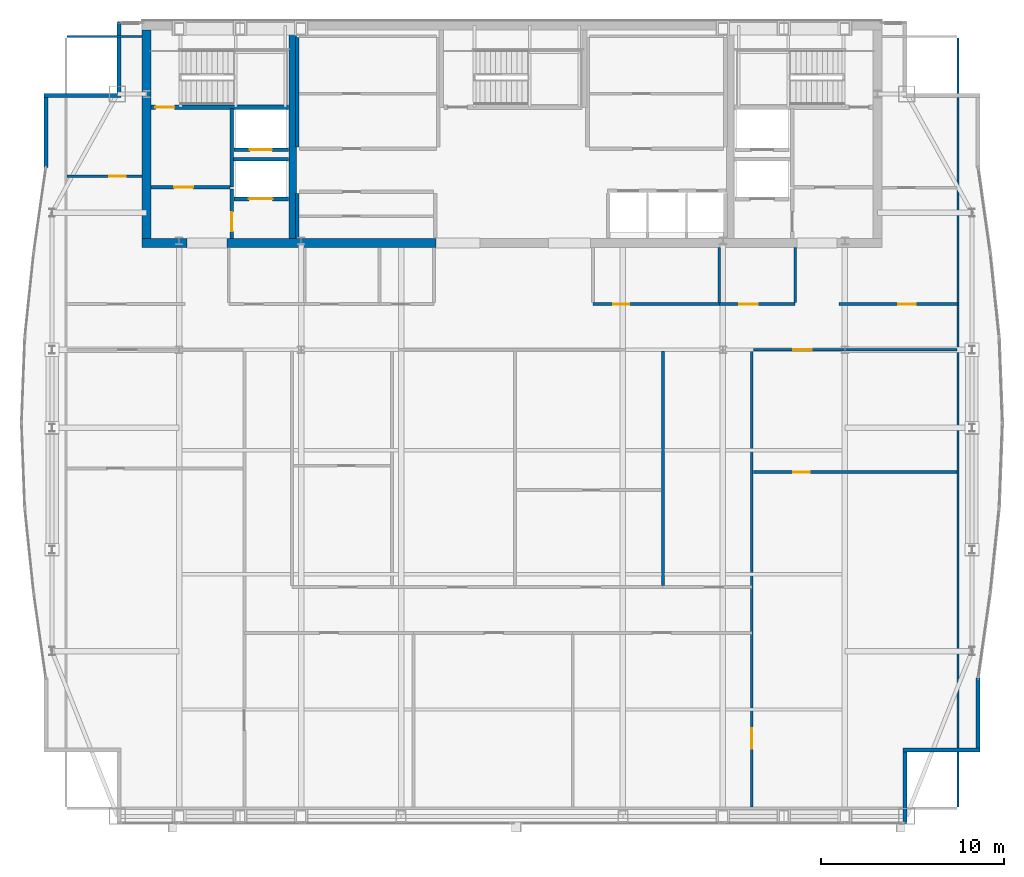
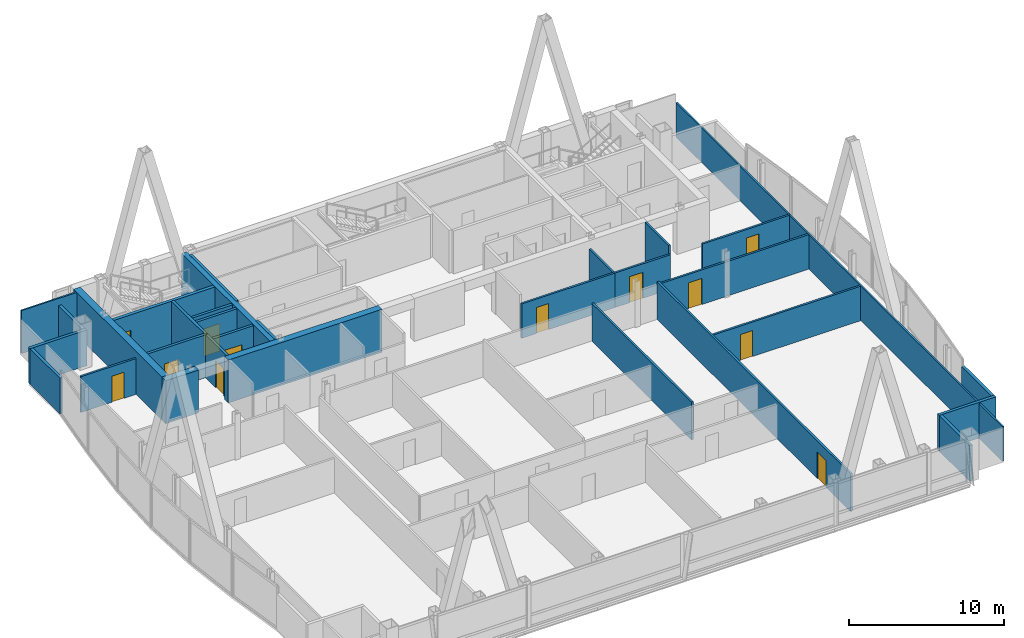
# One storey, part 25 of 29: 31 walls, 12 doors, 12 openings.
"""IFC4 building model written with IfcOpenShell, lengths in metres."""

import ifcopenshell
import ifcopenshell.guid

model = None  # the IFC model being written
_history = None  # IfcOwnerHistory: only IFC2X3 demands one
_inside = {}  # id of a spatial element -> (the spatial element, [elements in it])
_under = {}  # id of a project, library or spatial element -> (it, [spatial elements below it])
_declared = {}  # id of a project -> (the project, [libraries it declares])
_typed = {}  # id of a type object -> (the type object, [elements of that type])
_made_of = {}  # id of a material, layer set ... -> (it, [elements and type objects made of it])


def new_model(schema):
    """Start an empty IFC model of exactly this schema.

    Asked for "IFC4X3", IfcOpenShell would pick the latest addendum, in which some entities
    have other attributes; the version numbers below select the first issue.
    IFC2X3 requires an IfcOwnerHistory on every rooted entity: one is made here for all.
    """
    global model, _history
    if schema == "IFC4X3":
        model = ifcopenshell.file(schema_version=(4, 3, 0, 0))
    else:
        model = ifcopenshell.file(schema=schema)
    _inside.clear()
    _under.clear()
    _declared.clear()
    _typed.clear()
    _made_of.clear()
    _history = None
    if model.schema == "IFC2X3":
        org = make("IfcOrganization", Name="unknown")
        user = make(
            "IfcPersonAndOrganization",
            ThePerson=make("IfcPerson", FamilyName="unknown"),
            TheOrganization=org,
        )
        app = make(
            "IfcApplication",
            ApplicationDeveloper=org,
            Version="unknown",
            ApplicationFullName="unknown",
            ApplicationIdentifier="unknown",
        )
        _history = make(
            "IfcOwnerHistory",
            OwningUser=user,
            OwningApplication=app,
            ChangeAction="ADDED",
            CreationDate=0,
        )
    return model


def make(cls, **values):
    """One entity of the class cls with the attributes given. An attribute that is None is left unset."""
    return model.create_entity(
        cls, **{name: value for name, value in values.items() if value is not None}
    )


def rooted(cls, **values):
    """An entity with a GlobalId (a new one), such as an element, a storey or a relation."""
    return make(cls, GlobalId=ifcopenshell.guid.new(), OwnerHistory=_history, **values)


def si_unit(unit_type, name, prefix=None):
    """IfcSIUnit, for example si_unit("LENGTHUNIT", "METRE", prefix="MILLI")."""
    return make("IfcSIUnit", UnitType=unit_type, Prefix=prefix, Name=name)


def assignment(units):
    """IfcUnitAssignment: the units of a project."""
    return None if units is None else make("IfcUnitAssignment", Units=units)


def point(xyz):
    """IfcCartesianPoint."""
    return None if xyz is None else make("IfcCartesianPoint", Coordinates=xyz)


def direction(xyz):
    """IfcDirection."""
    return None if xyz is None else make("IfcDirection", DirectionRatios=xyz)


def frame(location, z_axis=None, x_axis=None):
    """IfcAxis2Placement3D, a coordinate frame: its origin and axes. An axis left out is left unset."""
    return make(
        "IfcAxis2Placement3D",
        Location=point(location),
        Axis=direction(z_axis),
        RefDirection=direction(x_axis),
    )


def frame_2d(location, x_axis=None):
    """IfcAxis2Placement2D, a coordinate frame in the plane: its origin and x axis."""
    return make(
        "IfcAxis2Placement2D", Location=point(location), RefDirection=direction(x_axis)
    )


def origin():
    """The frame at (0, 0, 0) with its axes left unset."""
    return frame((0.0, 0.0, 0.0))


def place(relative_to, where):
    """IfcLocalPlacement: puts the frame where relative to a parent placement (None: the world)."""
    return make(
        "IfcLocalPlacement", PlacementRelTo=relative_to, RelativePlacement=where
    )


def context(
    kind, dimensions, precision=None, world=None, true_north=None, identifier=None
):
    """IfcGeometricRepresentationContext, for example the 3D "Model" context."""
    return make(
        "IfcGeometricRepresentationContext",
        ContextIdentifier=identifier,
        ContextType=kind,
        CoordinateSpaceDimension=dimensions,
        Precision=precision,
        WorldCoordinateSystem=world,
        TrueNorth=true_north,
    )


def subcontext(parent, identifier, kind, view, scale=None):
    """IfcGeometricRepresentationSubContext, for example "Body" below "Model"."""
    return make(
        "IfcGeometricRepresentationSubContext",
        ContextIdentifier=identifier,
        ContextType=kind,
        ParentContext=parent,
        TargetScale=scale,
        TargetView=view,
    )


def project(units=None, contexts=None):
    """IfcProject with its units and contexts."""
    return rooted(
        "IfcProject",
        Name="project",
        RepresentationContexts=contexts,
        UnitsInContext=assignment(units),
    )


def spatial(cls, under=None, at=None, **own):
    """A site, building, storey or space (cls), placed at a placement, below another one or the project."""
    s = rooted(cls, ObjectPlacement=at, **own)
    if under is not None:
        _under.setdefault(under.id(), (under, []))[1].append(s)
    return s


def profile(cls, at=None, kind="AREA", **sizes):
    """A parametric profile (cls). Its sizes go by their IFC names, for example OverallWidth=200.0."""
    return make(cls, ProfileType=kind, Position=at, **sizes)


def rectangle(**sizes):
    """IfcRectangleProfileDef."""
    return profile("IfcRectangleProfileDef", **sizes)


def extrude(swept, where, along, depth):
    """IfcExtrudedAreaSolid: the profile swept, set in the frame where, extruded along a direction by depth."""
    return make(
        "IfcExtrudedAreaSolid",
        SweptArea=swept,
        Position=where,
        ExtrudedDirection=direction(along),
        Depth=depth,
    )


def shape(context_of_items, identifier, shape_type, items):
    """IfcShapeRepresentation: the items that make up one representation, for example the "Body"."""
    return make(
        "IfcShapeRepresentation",
        ContextOfItems=context_of_items,
        RepresentationIdentifier=identifier,
        RepresentationType=shape_type,
        Items=items,
    )


def material(Name=None, Category=None):
    """IfcMaterial."""
    return make("IfcMaterial", Name=Name, Category=Category)


def layer(
    of_material, thickness, ventilated=None, Name=None, Category=None, Priority=None
):
    """IfcMaterialLayer: one layer of a wall or slab, of a material (None: an air gap)."""
    return make(
        "IfcMaterialLayer",
        Material=of_material,
        LayerThickness=thickness,
        IsVentilated=ventilated,
        Name=Name,
        Category=Category,
        Priority=Priority,
    )


def layer_set(layers, Name=None):
    """IfcMaterialLayerSet."""
    return make("IfcMaterialLayerSet", MaterialLayers=layers, LayerSetName=Name)


def made_of(thing, what):
    """Note that an element or type object is made of a material, layer set ...; save() writes the relation."""
    if what is not None:
        _made_of.setdefault(what.id(), (what, []))[1].append(thing)
    return thing


def type_object(cls, material=None, **own):
    """A type object (cls), such as IfcWallType, which elements share."""
    return made_of(rooted(cls, **own), material)


def element(
    cls,
    number,
    at=None,
    inside=None,
    cuts=None,
    type_object=None,
    material=None,
    context=None,
    identifier="Body",
    shape_type=None,
    held_by="IfcProductDefinitionShape",
    body=None,
    shapes=None,
    **own,
):
    """One element of the class cls, such as IfcWall. Its Tag is "e" and its number.

    at: its placement. inside: the storey or other place that contains it. cuts: it is an
    opening in that element (IfcRelVoidsElement). A single representation is given by context,
    identifier, shape_type and body (its items); several are given by shapes. held_by: the class
    of the entity that holds the representations. save() writes the other relations.
    """
    e = rooted(cls, Tag="e%d" % number, ObjectPlacement=at, **own)
    if body is not None:
        shapes = [shape(context, identifier, shape_type, body)]
    if shapes is not None:
        e.Representation = make(held_by, Representations=shapes)
    if inside is not None:
        _inside.setdefault(inside.id(), (inside, []))[1].append(e)
    if cuts is not None:
        rooted(
            "IfcRelVoidsElement", RelatingBuildingElement=cuts, RelatedOpeningElement=e
        )
    if type_object is not None:
        _typed.setdefault(type_object.id(), (type_object, []))[1].append(e)
    return made_of(e, material)


def fill(opening, filler):
    """IfcRelFillsElement: the door or window that sits in an opening."""
    return rooted(
        "IfcRelFillsElement",
        RelatingOpeningElement=opening,
        RelatedBuildingElement=filler,
    )


def aggregate(whole, parts):
    """IfcRelAggregates: a whole, such as a stair, and the parts it consists of."""
    return rooted("IfcRelAggregates", RelatingObject=whole, RelatedObjects=parts)


def save(model, path):
    """Write the relations noted so far, then the file.

    IfcRelAggregates (storeys below a building ...), IfcRelContainedInSpatialStructure (elements
    in a storey), IfcRelDefinesByType, IfcRelAssociatesMaterial and IfcRelDeclares: one each for
    every whole, place, type object, material and project.
    """
    for whole, parts in _under.values():
        aggregate(whole, parts)
    for where, things in _inside.values():
        rooted(
            "IfcRelContainedInSpatialStructure",
            RelatedElements=things,
            RelatingStructure=where,
        )
    for kind, things in _typed.values():
        rooted("IfcRelDefinesByType", RelatedObjects=things, RelatingType=kind)
    for what, things in _made_of.values():
        rooted("IfcRelAssociatesMaterial", RelatedObjects=things, RelatingMaterial=what)
    for by, libraries in _declared.values():
        rooted("IfcRelDeclares", RelatingContext=by, RelatedDefinitions=libraries)
    model.write(path)


model = new_model("IFC4")

# Units and contexts
model_context = context("Model", 3, precision=1e-05, world=origin(), true_north=direction((0.0, 1.0)))
body_context = subcontext(model_context, "Body", "Model", "MODEL_VIEW")
ifc_project = project(units=[si_unit("LENGTHUNIT", "METRE"), si_unit("AREAUNIT", "SQUARE_METRE"), si_unit("VOLUMEUNIT", "CUBIC_METRE"), si_unit("PLANEANGLEUNIT", "RADIAN"), si_unit("MASSUNIT", "GRAM", prefix="KILO")], contexts=[model_context])

# Site, building, storey
site_placement = place(None, origin())
site = spatial("IfcSite", under=ifc_project, at=site_placement, CompositionType="ELEMENT")
building_placement = place(site_placement, origin())
building = spatial("IfcBuilding", under=site, at=building_placement, Name="Khoronbel Lancet Exchange", CompositionType="ELEMENT")
storey_placement = place(building_placement, frame((0.0, 0.0, 302.199951171875)))
storey = spatial("IfcBuildingStorey", under=building, at=storey_placement, Name="L78", CompositionType="ELEMENT", Elevation=302.199951171875)

# Walls
ifc_material_1 = material(Name="Concrete C60/75", Category="concrete")
ifc_layer_1 = layer(ifc_material_1, 0.5, Name="Concrete C60/75")
ifc_layer_set_1 = layer_set([ifc_layer_1], Name="Concrete C60/75")
wall_type_1 = type_object("IfcWallType", Name="WL-CW4", PredefinedType="SHEAR", material=ifc_layer_set_1)
wall_1_placement = place(storey_placement, frame((16.449951171875, 41.800048828125, 0.0), z_axis=(0.0, 0.0, 1.0), x_axis=(0.0, 1.0, 0.0)))
element("IfcWall", 1, at=wall_1_placement, inside=storey, type_object=wall_type_1, Name="Level L78 rear core west shear wall", PredefinedType="SHEAR", context=body_context, shape_type="SweptSolid", body=[
    extrude(rectangle(XDim=11.39990234375, YDim=0.5, at=frame_2d((5.699951171875, 0.0))), origin(), (0.0, 0.0, 1.0), 3.380126953125),
])
wall_2_placement = place(storey_placement, frame((18.64990234375, 41.550048828125, 0.0), z_axis=(0.0, 0.0, 1.0), x_axis=(-1.0, 0.0, 0.0)))
element("IfcWall", 2, at=wall_2_placement, inside=storey, type_object=wall_type_1, Name="Level L78 rear core south shear wall pier P1", PredefinedType="SHEAR", context=body_context, shape_type="SweptSolid", body=[
    extrude(rectangle(XDim=2.449951171875, YDim=0.5, at=frame_2d((1.22509765625, 0.0))), origin(), (0.0, 0.0, 1.0), 3.380126953125),
])
wall_3_placement = place(storey_placement, frame((32.300048828125, 41.550048828125, 0.0), z_axis=(0.0, 0.0, 1.0), x_axis=(-1.0, 0.0, 0.0)))
element("IfcWall", 3, at=wall_3_placement, inside=storey, type_object=wall_type_1, Name="Level L78 rear core south shear wall pier P2", PredefinedType="SHEAR", context=body_context, shape_type="SweptSolid", body=[
    extrude(rectangle(XDim=11.449951171875, YDim=0.5, at=frame_2d((5.72509765625, 0.0))), origin(), (0.0, 0.0, 1.0), 3.380126953125),
])
ifc_material_2 = material(Name="Precast concrete C40/50", Category="concrete")
ifc_layer_2 = layer(ifc_material_2, 0.25, Name="Precast concrete C40/50")
ifc_layer_set_2 = layer_set([ifc_layer_2], Name="Precast concrete C40/50")
wall_type_2 = type_object("IfcWallType", Name="WL-EXT250", PredefinedType="SOLIDWALL", material=ifc_layer_set_2)
wall_4_placement = place(storey_placement, frame((10.93994140625, 45.673583984375, 0.0), z_axis=(0.0, 0.0, 1.0), x_axis=(0.0, 1.0, 0.0)))
element("IfcWall", 4, at=wall_4_placement, inside=storey, type_object=wall_type_2, Name="Level L78 notched-corner limestone pier 10", PredefinedType="SOLIDWALL", context=body_context, shape_type="SweptSolid", body=[
    extrude(rectangle(XDim=3.826416015625, YDim=0.219970703125, at=frame_2d((1.9130859375, 0.0))), origin(), (0.0, 0.0, 1.0), 2.820068359375),
])
wall_5_placement = place(storey_placement, frame((10.830078125, 49.610107421875, 0.0), z_axis=(0.0, 0.0, 1.0), x_axis=(1.0, 0.0, 0.0)))
element("IfcWall", 5, at=wall_5_placement, inside=storey, type_object=wall_type_2, Name="Level L78 notched-corner limestone pier 11", PredefinedType="SOLIDWALL", context=body_context, shape_type="SweptSolid", body=[
    extrude(rectangle(XDim=4.219970703125, YDim=0.219970703125, at=frame_2d((2.10986328125, 0.0))), origin(), (0.0, 0.0, 1.0), 2.820068359375),
])
wall_6_placement = place(storey_placement, frame((14.93994140625, 49.719970703125, 0.0), z_axis=(0.0, 0.0, 1.0), x_axis=(0.0, 1.0, 0.0)))
element("IfcWall", 6, at=wall_6_placement, inside=storey, type_object=wall_type_2, Name="Level L78 notched-corner limestone pier 12", PredefinedType="SOLIDWALL", context=body_context, shape_type="SweptSolid", body=[
    extrude(rectangle(XDim=3.909912109375, YDim=0.219970703125, at=frame_2d((1.955078125, 0.0))), origin(), (0.0, 0.0, 1.0), 2.820068359375),
])
wall_7_placement = place(storey_placement, frame((61.9599609375, 17.726318359375, 0.0), z_axis=(0.0, 0.0, 1.0), x_axis=(0.0, -1.0, 0.0)))
element("IfcWall", 7, at=wall_7_placement, inside=storey, type_object=wall_type_2, Name="Level L78 notched-corner limestone pier 23", PredefinedType="SOLIDWALL", context=body_context, shape_type="SweptSolid", body=[
    extrude(rectangle(XDim=3.826416015625, YDim=0.219970703125, at=frame_2d((1.9130859375, 0.0))), origin(), (0.0, 0.0, 1.0), 2.820068359375),
])
wall_8_placement = place(storey_placement, frame((62.070068359375, 13.7900390625, 0.0), z_axis=(0.0, 0.0, 1.0), x_axis=(-1.0, 0.0, 0.0)))
element("IfcWall", 8, at=wall_8_placement, inside=storey, type_object=wall_type_2, Name="Level L78 notched-corner limestone pier 24", PredefinedType="SOLIDWALL", context=body_context, shape_type="SweptSolid", body=[
    extrude(rectangle(XDim=4.219970703125, YDim=0.219970703125, at=frame_2d((2.10986328125, 0.0))), origin(), (0.0, 0.0, 1.0), 2.820068359375),
])
wall_9_placement = place(storey_placement, frame((57.9599609375, 13.679931640625, 0.0), z_axis=(0.0, 0.0, 1.0), x_axis=(0.0, -1.0, 0.0)))
element("IfcWall", 9, at=wall_9_placement, inside=storey, type_object=wall_type_2, Name="Level L78 notched-corner limestone pier 25", PredefinedType="SOLIDWALL", context=body_context, shape_type="SweptSolid", body=[
    extrude(rectangle(XDim=3.909912109375, YDim=0.219970703125, at=frame_2d((1.955078125, 0.0))), origin(), (0.0, 0.0, 1.0), 2.820068359375),
])
ifc_material_3 = material(Name="Acoustic Metal-Stud & Mineral-Wool Gypsum Partition 120 mm", Category="gypsum")
ifc_layer_3 = layer(ifc_material_3, 0.1201171875, Name="Acoustic Metal-Stud & Mineral-Wool Gypsum Partition 120 mm")
ifc_layer_set_3 = layer_set([ifc_layer_3], Name="Acoustic Metal-Stud & Mineral-Wool Gypsum Partition 120 mm")
wall_type_3 = type_object("IfcWallType", Name="WL-PRT120", PredefinedType="PARTITIONING", material=ifc_layer_set_3)
wall_10_placement = place(storey_placement, frame((47.800048828125, 38.280029296875, 0.0), z_axis=(0.0, 0.0, 1.0), x_axis=(0.0, 1.0, 0.0)))
element("IfcWall", 10, at=wall_10_placement, inside=storey, type_object=wall_type_3, Name="Level L78 interior partition PW-NP-M", PredefinedType="PARTITIONING", context=body_context, shape_type="SweptSolid", body=[
    extrude(rectangle(XDim=3.02001953125, YDim=0.14990234375, at=frame_2d((1.510009765625, 0.0))), origin(), (0.0, 0.0, 1.0), 2.719970703125),
])
wall_11_placement = place(storey_placement, frame((51.949951171875, 38.280029296875, 0.0), z_axis=(0.0, 0.0, 1.0), x_axis=(0.0, 1.0, 0.0)))
element("IfcWall", 11, at=wall_11_placement, inside=storey, type_object=wall_type_3, Name="Level L78 interior partition PW-NP-1", PredefinedType="PARTITIONING", context=body_context, shape_type="SweptSolid", body=[
    extrude(rectangle(XDim=3.02001953125, YDim=0.14990234375, at=frame_2d((1.510009765625, 0.0))), origin(), (0.0, 0.0, 1.0), 3.380126953125),
])

# Wall, opening, door
wall_12_placement = place(storey_placement, frame((12.094970703125, 45.199951171875, 0.0), z_axis=(0.0, 0.0, 1.0), x_axis=(1.0, 0.0, 0.0)))
wall_12 = element("IfcWall", 12, at=wall_12_placement, inside=storey, type_object=wall_type_3, Name="Level L78 interior partition PW-NW-H", PredefinedType="PARTITIONING", context=body_context, shape_type="SweptSolid", body=[
    extrude(rectangle(XDim=4.10498046875, YDim=0.14990234375, at=frame_2d((2.052490234375, 0.0))), origin(), (0.0, 0.0, 1.0), 2.820068359375),
])
opening_1_placement = place(wall_12_placement, frame((2.320068359375, 0.0, 0.0)))
opening_1 = element("IfcOpeningElement", 13, at=opening_1_placement, cuts=wall_12, Name="Opening D5", PredefinedType="OPENING", context=body_context, shape_type="SweptSolid", body=[
    extrude(rectangle(XDim=0.89990234375, YDim=2.050048828125, at=frame_2d((0.449951171875, 1.02490234375))), frame((0.0, 0.0849609375, 0.0), z_axis=(0.0, -1.0, 0.0), x_axis=(1.0, 0.0, 0.0)), (0.0, 0.0, 1.0), 0.169921875),
])
ifc_material_4 = material(Name="Acoustic Timber Pantry & Support Door", Category="wood")
door_type_1 = type_object("IfcDoorType", Name="DR-D5", OperationType="NOTDEFINED", PredefinedType="DOOR", material=ifc_material_4)
door_1_placement = place(opening_1_placement, origin())
door_1 = element("IfcDoor", 14, at=door_1_placement, inside=storey, type_object=door_type_1, Name="NW north room door L78-1", OperationType="SINGLE_SWING_LEFT", OverallHeight=2.050048828125, OverallWidth=0.89990234375, PredefinedType="DOOR", context=body_context, shape_type="SweptSolid", body=[
    extrude(rectangle(XDim=0.89990234375, YDim=2.050048828125, at=frame_2d((0.449951171875, 1.02490234375))), frame((0.0, 0.02490234375, 0.0), z_axis=(0.0, -1.0, 0.0), x_axis=(1.0, 0.0, 0.0)), (0.0, 0.0, 1.0), 0.050048828125),
])
fill(opening_1, door_1)

wall_13_placement = place(storey_placement, frame((49.659912109375, 29.0, 0.0), z_axis=(0.0, 0.0, 1.0), x_axis=(1.0, 0.0, 0.0)))
wall_13 = element("IfcWall", 15, at=wall_13_placement, inside=storey, type_object=wall_type_3, Name="Level L78 interior partition PW-Z4-EH", PredefinedType="PARTITIONING", context=body_context, shape_type="SweptSolid", body=[
    extrude(rectangle(XDim=11.14501953125, YDim=0.14990234375, at=frame_2d((5.572509765625, 0.0))), origin(), (0.0, 0.0, 1.0), 2.719970703125),
])
opening_2_placement = place(wall_13_placement, frame((2.199951171875, 0.0, 0.0)))
opening_2 = element("IfcOpeningElement", 16, at=opening_2_placement, cuts=wall_13, Name="Opening D5", PredefinedType="OPENING", context=body_context, shape_type="SweptSolid", body=[
    extrude(rectangle(XDim=0.89990234375, YDim=2.050048828125, at=frame_2d((0.449951171875, 1.02490234375))), frame((0.0, 0.0849609375, 0.0), z_axis=(0.0, -1.0, 0.0), x_axis=(1.0, 0.0, 0.0)), (0.0, 0.0, 1.0), 0.169921875),
])
door_2_placement = place(opening_2_placement, origin())
door_2 = element("IfcDoor", 17, at=door_2_placement, inside=storey, type_object=door_type_1, Name="East lens inner door L78-1", OperationType="SINGLE_SWING_RIGHT", OverallHeight=2.050048828125, OverallWidth=0.89990234375, PredefinedType="DOOR", context=body_context, shape_type="SweptSolid", body=[
    extrude(rectangle(XDim=0.89990234375, YDim=2.050048828125, at=frame_2d((0.449951171875, 1.02490234375))), frame((0.0, 0.02490234375, 0.0), z_axis=(0.0, -1.0, 0.0), x_axis=(1.0, 0.0, 0.0)), (0.0, 0.0, 1.0), 0.050048828125),
])
fill(opening_2, door_2)

# Walls
wall_14_placement = place(storey_placement, frame((60.8701171875, 10.6650390625, 0.0), z_axis=(0.0, 0.0, 1.0), x_axis=(0.0, 1.0, 0.0)))
element("IfcWall", 18, at=wall_14_placement, inside=storey, type_object=wall_type_3, Name="Level L78 interior partition PW-LIN-E", PredefinedType="PARTITIONING", context=body_context, shape_type="SweptSolid", body=[
    extrude(rectangle(XDim=42.10986328125, YDim=0.1201171875, at=frame_2d((21.054931640625, 0.0))), origin(), (0.0, 0.0, 1.0), 2.719970703125),
])
wall_15_placement = place(storey_placement, frame((12.094970703125, 52.840087890625, 0.0), z_axis=(0.0, 0.0, 1.0), x_axis=(1.0, 0.0, 0.0)))
element("IfcWall", 19, at=wall_15_placement, inside=storey, type_object=wall_type_3, Name="Level L78 interior partition PW-LIN-NW", PredefinedType="PARTITIONING", context=body_context, shape_type="SweptSolid", body=[
    extrude(rectangle(XDim=4.10498046875, YDim=0.1201171875, at=frame_2d((2.052490234375, 0.0))), origin(), (0.0, 0.0, 1.0), 3.380126953125),
])

# Wall, opening, door
ifc_material_5 = material(Name="Fire-Rated Twin-Stud Acoustic Gypsum Partition 150 mm", Category="gypsum")
ifc_layer_4 = layer(ifc_material_5, 0.14990234375, Name="Fire-Rated Twin-Stud Acoustic Gypsum Partition 150 mm")
ifc_layer_set_4 = layer_set([ifc_layer_4], Name="Fire-Rated Twin-Stud Acoustic Gypsum Partition 150 mm")
wall_type_4 = type_object("IfcWallType", Name="WL-PRT150C", PredefinedType="PARTITIONING", material=ifc_layer_set_4)
wall_16_placement = place(storey_placement, frame((40.8798828125, 38.199951171875, 0.0), z_axis=(0.0, 0.0, 1.0), x_axis=(1.0, 0.0, 0.0)))
wall_16 = element("IfcWall", 20, at=wall_16_placement, inside=storey, type_object=wall_type_4, Name="Level L78 interior partition PW-NP-S1", PredefinedType="PARTITIONING", context=body_context, shape_type="SweptSolid", body=[
    extrude(rectangle(XDim=6.920166015625, YDim=0.14990234375, at=frame_2d((3.4599609375, 0.0))), origin(), (0.0, 0.0, 1.0), 2.719970703125),
])
opening_3_placement = place(wall_16_placement, frame((1.10009765625, 0.0, 0.0)))
opening_3 = element("IfcOpeningElement", 21, at=opening_3_placement, cuts=wall_16, Name="Opening D5", PredefinedType="OPENING", context=body_context, shape_type="SweptSolid", body=[
    extrude(rectangle(XDim=0.89990234375, YDim=2.050048828125, at=frame_2d((0.449951171875, 1.02490234375))), frame((0.0, 0.0849609375, 0.0), z_axis=(0.0, -1.0, 0.0), x_axis=(1.0, 0.0, 0.0)), (0.0, 0.0, 1.0), 0.169921875),
])
door_3_placement = place(opening_3_placement, origin())
door_3 = element("IfcDoor", 22, at=door_3_placement, inside=storey, type_object=door_type_1, Name="Floor refreshment pantry door L78-1", OperationType="SINGLE_SWING_LEFT", OverallHeight=2.050048828125, OverallWidth=0.89990234375, PredefinedType="DOOR", context=body_context, shape_type="SweptSolid", body=[
    extrude(rectangle(XDim=0.89990234375, YDim=2.050048828125, at=frame_2d((0.449951171875, 1.02490234375))), frame((0.0, 0.02490234375, 0.0), z_axis=(0.0, -1.0, 0.0), x_axis=(1.0, 0.0, 0.0)), (0.0, 0.0, 1.0), 0.050048828125),
])
fill(opening_3, door_3)

wall_17_placement = place(storey_placement, frame((47.800048828125, 38.199951171875, 0.0), z_axis=(0.0, 0.0, 1.0), x_axis=(1.0, 0.0, 0.0)))
wall_17 = element("IfcWall", 23, at=wall_17_placement, inside=storey, type_object=wall_type_4, Name="Level L78 interior partition PW-NP-S2", PredefinedType="PARTITIONING", context=body_context, shape_type="SweptSolid", body=[
    extrude(rectangle(XDim=4.14990234375, YDim=0.14990234375, at=frame_2d((2.074951171875, 0.0))), origin(), (0.0, 0.0, 1.0), 2.719970703125),
])
opening_4_placement = place(wall_17_placement, frame((1.10009765625, 0.0, 0.0)))
opening_4 = element("IfcOpeningElement", 24, at=opening_4_placement, cuts=wall_17, Name="Opening D2", PredefinedType="OPENING", context=body_context, shape_type="SweptSolid", body=[
    extrude(rectangle(XDim=1.0, YDim=2.050048828125, at=frame_2d((0.5, 1.02490234375))), frame((0.0, 0.0849609375, 0.0), z_axis=(0.0, -1.0, 0.0), x_axis=(1.0, 0.0, 0.0)), (0.0, 0.0, 1.0), 0.169921875),
])
ifc_material_6 = material(Name="Acoustic Veneered Timber & Bronze Frame Door", Category="wood")
door_type_2 = type_object("IfcDoorType", Name="DR-D2", OperationType="NOTDEFINED", PredefinedType="DOOR", material=ifc_material_6)
door_4_placement = place(opening_4_placement, origin())
door_4 = element("IfcDoor", 25, at=door_4_placement, inside=storey, type_object=door_type_2, Name="Floor store door L78-1", OperationType="SINGLE_SWING_RIGHT", OverallHeight=2.050048828125, OverallWidth=1.0, PredefinedType="DOOR", context=body_context, shape_type="SweptSolid", body=[
    extrude(rectangle(XDim=1.0, YDim=2.050048828125, at=frame_2d((0.5, 1.02490234375))), frame((0.0, 0.02490234375, 0.0), z_axis=(0.0, -1.0, 0.0), x_axis=(1.0, 0.0, 0.0)), (0.0, 0.0, 1.0), 0.050048828125),
])
fill(opening_4, door_4)

wall_18_placement = place(storey_placement, frame((54.35009765625, 38.199951171875, 0.0), z_axis=(0.0, 0.0, 1.0), x_axis=(1.0, 0.0, 0.0)))
wall_18 = element("IfcWall", 26, at=wall_18_placement, inside=storey, type_object=wall_type_4, Name="Level L78 interior partition PW-NE-S", PredefinedType="PARTITIONING", context=body_context, shape_type="SweptSolid", body=[
    extrude(rectangle(XDim=6.52001953125, YDim=0.14990234375, at=frame_2d((3.260009765625, 0.0))), origin(), (0.0, 0.0, 1.0), 2.719970703125),
])
opening_5_placement = place(wall_18_placement, frame((3.25, 0.0, 0.0)))
opening_5 = element("IfcOpeningElement", 27, at=opening_5_placement, cuts=wall_18, Name="Opening D1", PredefinedType="OPENING", context=body_context, shape_type="SweptSolid", body=[
    extrude(rectangle(XDim=0.949951171875, YDim=2.050048828125, at=frame_2d((0.47509765625, 1.02490234375))), frame((0.0, 0.0849609375, 0.0), z_axis=(0.0, -1.0, 0.0), x_axis=(1.0, 0.0, 0.0)), (0.0, 0.0, 1.0), 0.169921875),
])
door_type_3 = type_object("IfcDoorType", Name="DR-D1", OperationType="NOTDEFINED", PredefinedType="DOOR", material=ifc_material_6)
door_5_placement = place(opening_5_placement, origin())
door_5 = element("IfcDoor", 28, at=door_5_placement, inside=storey, type_object=door_type_3, Name="NE corner room door L78-1", OperationType="SINGLE_SWING_RIGHT", OverallHeight=2.050048828125, OverallWidth=0.949951171875, PredefinedType="DOOR", context=body_context, shape_type="SweptSolid", body=[
    extrude(rectangle(XDim=0.949951171875, YDim=2.050048828125, at=frame_2d((0.47509765625, 1.02490234375))), frame((0.0, 0.02490234375, 0.0), z_axis=(0.0, -1.0, 0.0), x_axis=(1.0, 0.0, 0.0)), (0.0, 0.0, 1.0), 0.050048828125),
])
fill(opening_5, door_5)

wall_19_placement = place(storey_placement, frame((49.580078125, 10.6650390625, 0.0), z_axis=(0.0, 0.0, 1.0), x_axis=(0.0, 1.0, 0.0)))
wall_19 = element("IfcWall", 29, at=wall_19_placement, inside=storey, type_object=wall_type_4, Name="Level L78 interior partition PW-Z4-PE", PredefinedType="PARTITIONING", context=body_context, shape_type="SweptSolid", body=[
    extrude(rectangle(XDim=24.955078125, YDim=0.14990234375, at=frame_2d((12.4775390625, 0.0))), origin(), (0.0, 0.0, 1.0), 2.969970703125),
])
opening_6_placement = place(wall_19_placement, frame((3.199951171875, 0.0, 0.0)))
opening_6 = element("IfcOpeningElement", 30, at=opening_6_placement, cuts=wall_19, Name="Opening D6", PredefinedType="OPENING", context=body_context, shape_type="SweptSolid", body=[
    extrude(rectangle(XDim=1.10009765625, YDim=2.10009765625, at=frame_2d((0.550048828125, 1.050048828125))), frame((0.0, 0.0849609375, 0.0), z_axis=(0.0, -1.0, 0.0), x_axis=(1.0, 0.0, 0.0)), (0.0, 0.0, 1.0), 0.169921875),
])
ifc_material_7 = material(Name="Acoustic Bronze-Veneer Executive Suite Door", Category="wood")
door_type_4 = type_object("IfcDoorType", Name="DR-D6", OperationType="NOTDEFINED", PredefinedType="DOOR", material=ifc_material_7)
door_6_placement = place(opening_6_placement, origin())
door_6 = element("IfcDoor", 31, at=door_6_placement, inside=storey, type_object=door_type_4, Name="East lens south door L78-1", OperationType="SINGLE_SWING_RIGHT", OverallHeight=2.10009765625, OverallWidth=1.10009765625, PredefinedType="DOOR", context=body_context, shape_type="SweptSolid", body=[
    extrude(rectangle(XDim=1.10009765625, YDim=2.10009765625, at=frame_2d((0.550048828125, 1.050048828125))), frame((0.0, 0.02490234375, 0.0), z_axis=(0.0, -1.0, 0.0), x_axis=(1.0, 0.0, 0.0)), (0.0, 0.0, 1.0), 0.050048828125),
])
fill(opening_6, door_6)

wall_20_placement = place(storey_placement, frame((49.659912109375, 35.699951171875, 0.0), z_axis=(0.0, 0.0, 1.0), x_axis=(1.0, 0.0, 0.0)))
wall_20 = element("IfcWall", 32, at=wall_20_placement, inside=storey, type_object=wall_type_4, Name="Level L78 interior partition PW-Z4-EN2", PredefinedType="PARTITIONING", context=body_context, shape_type="SweptSolid", body=[
    extrude(rectangle(XDim=11.14501953125, YDim=0.14990234375, at=frame_2d((5.572509765625, 0.0))), origin(), (0.0, 0.0, 1.0), 2.719970703125),
])
opening_7_placement = place(wall_20_placement, frame((2.199951171875, 0.0, 0.0)))
opening_7 = element("IfcOpeningElement", 33, at=opening_7_placement, cuts=wall_20, Name="Opening D2", PredefinedType="OPENING", context=body_context, shape_type="SweptSolid", body=[
    extrude(rectangle(XDim=1.0, YDim=2.050048828125, at=frame_2d((0.5, 1.02490234375))), frame((0.0, 0.0849609375, 0.0), z_axis=(0.0, -1.0, 0.0), x_axis=(1.0, 0.0, 0.0)), (0.0, 0.0, 1.0), 0.169921875),
])
door_7_placement = place(opening_7_placement, origin())
door_7 = element("IfcDoor", 34, at=door_7_placement, inside=storey, type_object=door_type_2, Name="East lens north door L78-1", OperationType="SINGLE_SWING_LEFT", OverallHeight=2.050048828125, OverallWidth=1.0, PredefinedType="DOOR", context=body_context, shape_type="SweptSolid", body=[
    extrude(rectangle(XDim=1.0, YDim=2.050048828125, at=frame_2d((0.5, 1.02490234375))), frame((0.0, 0.02490234375, 0.0), z_axis=(0.0, -1.0, 0.0), x_axis=(1.0, 0.0, 0.0)), (0.0, 0.0, 1.0), 0.050048828125),
])
fill(opening_7, door_7)

# Wall
wall_21_placement = place(storey_placement, frame((44.719482421875, 22.784912109375, 0.0), z_axis=(0.0, 0.0, 1.0), x_axis=(0.0, 1.0, 0.0)))
element("IfcWall", 35, at=wall_21_placement, inside=storey, type_object=wall_type_4, Name="Level L78 interior partition PW-Z4C-V3", PredefinedType="PARTITIONING", context=body_context, shape_type="SweptSolid", body=[
    extrude(rectangle(XDim=12.835205078125, YDim=0.14990234375, at=frame_2d((6.41748046875, 0.0))), origin(), (0.0, 0.0, 1.0), 2.969970703125),
])

# Wall, opening, door
ifc_material_8 = material(Name="Autoclaved Aerated Concrete Blockwork 200 mm", Category="masonry")
ifc_layer_5 = layer(ifc_material_8, 0.199951171875, Name="Autoclaved Aerated Concrete Blockwork 200 mm")
ifc_layer_set_5 = layer_set([ifc_layer_5], Name="Autoclaved Aerated Concrete Blockwork 200 mm")
wall_type_5 = type_object("IfcWallType", Name="WL-PRT200", PredefinedType="PARTITIONING", material=ifc_layer_set_5)
wall_22_placement = place(storey_placement, frame((24.2099609375, 43.949951171875, 0.0), z_axis=(0.0, 0.0, 1.0), x_axis=(-1.0, 0.0, 0.0)))
wall_22 = element("IfcWall", 36, at=wall_22_placement, inside=storey, type_object=wall_type_5, Name="Level L78 elevator hoistway landing front wall SVLW", PredefinedType="PARTITIONING", context=body_context, shape_type="SweptSolid", body=[
    extrude(rectangle(XDim=2.969970703125, YDim=0.199951171875, at=frame_2d((1.48486328125, 0.0))), origin(), (0.0, 0.0, 1.0), 3.380126953125),
])
opening_8_placement = place(wall_22_placement, frame((0.860107421875, 0.0, 0.0)))
opening_8 = element("IfcOpeningElement", 37, at=opening_8_placement, cuts=wall_22, Name="Opening LD-SVL1", PredefinedType="OPENING", context=body_context, shape_type="SweptSolid", body=[
    extrude(rectangle(XDim=1.300048828125, YDim=2.179931640625, at=frame_2d((0.64990234375, 1.08984375))), frame((0.0, 0.10986328125, 0.0), z_axis=(0.0, -1.0, 0.0), x_axis=(1.0, 0.0, 0.0)), (0.0, 0.0, 1.0), 0.219970703125),
])
ifc_material_9 = material(Name="Heavy-Duty Bi-Parting Goods Lift Landing Door", Category="steel")
door_type_5 = type_object("IfcDoorType", Name="DR-LD-SVL", OperationType="NOTDEFINED", PredefinedType="DOOR", material=ifc_material_9)
door_8_placement = place(opening_8_placement, origin())
door_8 = element("IfcDoor", 38, at=door_8_placement, inside=storey, type_object=door_type_5, Name="Elevator landing sliding door LD-SVL1 L78", OperationType="SLIDING_TO_LEFT", OverallHeight=2.179931640625, OverallWidth=1.300048828125, PredefinedType="DOOR", context=body_context, shape_type="SweptSolid", body=[
    extrude(rectangle(XDim=1.300048828125, YDim=2.179931640625, at=frame_2d((0.64990234375, 1.08984375))), frame((0.0, 0.02490234375, 0.0), z_axis=(0.0, -1.0, 0.0), x_axis=(1.0, 0.0, 0.0)), (0.0, 0.0, 1.0), 0.050048828125),
])
fill(opening_8, door_8)

wall_23_placement = place(storey_placement, frame((24.2099609375, 46.64990234375, 0.0), z_axis=(0.0, 0.0, 1.0), x_axis=(-1.0, 0.0, 0.0)))
wall_23 = element("IfcWall", 39, at=wall_23_placement, inside=storey, type_object=wall_type_5, Name="Level L78 elevator hoistway landing front wall FFLW", PredefinedType="PARTITIONING", context=body_context, shape_type="SweptSolid", body=[
    extrude(rectangle(XDim=2.969970703125, YDim=0.199951171875, at=frame_2d((1.48486328125, 0.0))), origin(), (0.0, 0.0, 1.0), 3.380126953125),
])
opening_9_placement = place(wall_23_placement, frame((0.909912109375, 0.0, 0.0)))
opening_9 = element("IfcOpeningElement", 40, at=opening_9_placement, cuts=wall_23, Name="Opening LD-FFL1", PredefinedType="OPENING", context=body_context, shape_type="SweptSolid", body=[
    extrude(rectangle(XDim=1.199951171875, YDim=2.179931640625, at=frame_2d((0.60009765625, 1.08984375))), frame((0.0, 0.10986328125, 0.0), z_axis=(0.0, -1.0, 0.0), x_axis=(1.0, 0.0, 0.0)), (0.0, 0.0, 1.0), 0.219970703125),
])
ifc_material_10 = material(Name="Fire-Rated Stainless Bi-Parting Firefighting Lift Door", Category="steel")
door_type_6 = type_object("IfcDoorType", Name="DR-LD-FFL", OperationType="NOTDEFINED", PredefinedType="DOOR", material=ifc_material_10)
door_9_placement = place(opening_9_placement, origin())
door_9 = element("IfcDoor", 41, at=door_9_placement, inside=storey, type_object=door_type_6, Name="Elevator landing sliding door LD-FFL1 L78", OperationType="SLIDING_TO_LEFT", OverallHeight=2.179931640625, OverallWidth=1.199951171875, PredefinedType="DOOR", context=body_context, shape_type="SweptSolid", body=[
    extrude(rectangle(XDim=1.199951171875, YDim=2.179931640625, at=frame_2d((0.60009765625, 1.08984375))), frame((0.0, 0.02490234375, 0.0), z_axis=(0.0, -1.0, 0.0), x_axis=(1.0, 0.0, 0.0)), (0.0, 0.0, 1.0), 0.050048828125),
])
fill(opening_9, door_9)

# Wall
wall_24_placement = place(storey_placement, frame((21.10009765625, 44.60009765625, 0.0), z_axis=(0.0, 0.0, 1.0), x_axis=(0.0, 1.0, 0.0)))
element("IfcWall", 42, at=wall_24_placement, inside=storey, type_object=wall_type_5, Name="Level L78 interior partition CW-FFLW-E", PredefinedType="PARTITIONING", context=body_context, shape_type="SweptSolid", body=[
    extrude(rectangle(XDim=4.2998046875, YDim=0.199951171875, at=frame_2d((2.14990234375, 0.0))), origin(), (0.0, 0.0, 1.0), 3.380126953125),
])

# Wall, opening, door
wall_25_placement = place(storey_placement, frame((16.699951171875, 44.60009765625, 0.0), z_axis=(0.0, 0.0, 1.0), x_axis=(1.0, 0.0, 0.0)))
wall_25 = element("IfcWall", 43, at=wall_25_placement, inside=storey, type_object=wall_type_5, Name="Level L78 interior partition CW-FFLW-S", PredefinedType="PARTITIONING", context=body_context, shape_type="SweptSolid", body=[
    extrude(rectangle(XDim=4.300048828125, YDim=0.199951171875, at=frame_2d((2.14990234375, 0.0))), origin(), (0.0, 0.0, 1.0), 3.380126953125),
])
opening_10_placement = place(wall_25_placement, frame((1.25, 0.0, 0.0)))
opening_10 = element("IfcOpeningElement", 44, at=opening_10_placement, cuts=wall_25, Name="Opening FD1", PredefinedType="OPENING", context=body_context, shape_type="SweptSolid", body=[
    extrude(rectangle(XDim=1.050048828125, YDim=2.14990234375, at=frame_2d((0.52490234375, 1.074951171875))), frame((0.0, 0.10986328125, 0.0), z_axis=(0.0, -1.0, 0.0), x_axis=(1.0, 0.0, 0.0)), (0.0, 0.0, 1.0), 0.219970703125),
])
ifc_material_11 = material(Name="Fire-Rated Painted Steel Door Assembly", Category="steel")
door_type_7 = type_object("IfcDoorType", Name="DR-FD1", OperationType="NOTDEFINED", PredefinedType="DOOR", material=ifc_material_11)
door_10_placement = place(opening_10_placement, origin())
door_10 = element("IfcDoor", 45, at=door_10_placement, inside=storey, type_object=door_type_7, Name="West firefighting lobby FD90S door L78-1", OperationType="SINGLE_SWING_RIGHT", OverallHeight=2.14990234375, OverallWidth=1.050048828125, PredefinedType="DOOR", context=body_context, shape_type="SweptSolid", body=[
    extrude(rectangle(XDim=1.050048828125, YDim=2.14990234375, at=frame_2d((0.52490234375, 1.074951171875))), frame((0.0, 0.02490234375, 0.0), z_axis=(0.0, -1.0, 0.0), x_axis=(1.0, 0.0, 0.0)), (0.0, 0.0, 1.0), 0.050048828125),
])
fill(opening_10, door_10)

# Wall
wall_26_placement = place(storey_placement, frame((21.199951171875, 46.1201171875, 0.0), z_axis=(0.0, 0.0, 1.0), x_axis=(1.0, 0.0, 0.0)))
element("IfcWall", 46, at=wall_26_placement, inside=storey, type_object=wall_type_5, Name="Level L78 interior partition CW-FFL1-S", PredefinedType="PARTITIONING", context=body_context, shape_type="SweptSolid", body=[
    extrude(rectangle(XDim=3.02001953125, YDim=0.199951171875, at=frame_2d((1.510009765625, 0.0))), origin(), (0.0, 0.0, 1.0), 3.380126953125),
])

# Wall, opening, door
wall_27_placement = place(storey_placement, frame((21.10009765625, 41.800048828125, 0.0), z_axis=(0.0, 0.0, 1.0), x_axis=(0.0, 1.0, 0.0)))
wall_27 = element("IfcWall", 47, at=wall_27_placement, inside=storey, type_object=wall_type_5, Name="Level L78 interior partition CW-SVLW-W", PredefinedType="PARTITIONING", context=body_context, shape_type="SweptSolid", body=[
    extrude(rectangle(XDim=2.695068359375, YDim=0.199951171875, at=frame_2d((1.34765625, 0.0))), origin(), (0.0, 0.0, 1.0), 3.380126953125),
])
opening_11_placement = place(wall_27_placement, frame((0.3798828125, 0.0, 0.0)))
opening_11 = element("IfcOpeningElement", 48, at=opening_11_placement, cuts=wall_27, Name="Opening FD1", PredefinedType="OPENING", context=body_context, shape_type="SweptSolid", body=[
    extrude(rectangle(XDim=1.050048828125, YDim=2.14990234375, at=frame_2d((0.52490234375, 1.074951171875))), frame((0.0, 0.10986328125, 0.0), z_axis=(0.0, -1.0, 0.0), x_axis=(1.0, 0.0, 0.0)), (0.0, 0.0, 1.0), 0.219970703125),
])
door_11_placement = place(opening_11_placement, origin())
door_11 = element("IfcDoor", 49, at=door_11_placement, inside=storey, type_object=door_type_7, Name="West service lift lobby door L78-1", OperationType="SINGLE_SWING_LEFT", OverallHeight=2.14990234375, OverallWidth=1.050048828125, PredefinedType="DOOR", context=body_context, shape_type="SweptSolid", body=[
    extrude(rectangle(XDim=1.050048828125, YDim=2.14990234375, at=frame_2d((0.52490234375, 1.074951171875))), frame((0.0, 0.02490234375, 0.0), z_axis=(0.0, -1.0, 0.0), x_axis=(1.0, 0.0, 0.0)), (0.0, 0.0, 1.0), 0.050048828125),
])
fill(opening_11, door_11)

# Walls
wall_28_placement = place(storey_placement, frame((24.699951171875, 46.804931640625, 0.0), z_axis=(0.0, 0.0, 1.0), x_axis=(0.0, 1.0, 0.0)))
element("IfcWall", 50, at=wall_28_placement, inside=storey, type_object=wall_type_5, Name="Level L78 interior partition CW-PL-RW", PredefinedType="PARTITIONING", context=body_context, shape_type="SweptSolid", body=[
    extrude(rectangle(XDim=5.989990234375, YDim=0.199951171875, at=frame_2d((2.9951171875, 0.0))), origin(), (0.0, 0.0, 1.0), 3.380126953125),
])
wall_29_placement = place(storey_placement, frame((24.699951171875, 41.85009765625, 0.0), z_axis=(0.0, 0.0, 1.0), x_axis=(0.0, 1.0, 0.0)))
element("IfcWall", 51, at=wall_29_placement, inside=storey, type_object=wall_type_5, Name="Level L78 interior partition CW-PM-RW", PredefinedType="PARTITIONING", context=body_context, shape_type="SweptSolid", body=[
    extrude(rectangle(XDim=2.39501953125, YDim=0.199951171875, at=frame_2d((1.197509765625, 0.0))), origin(), (0.0, 0.0, 1.0), 3.380126953125),
])
ifc_layer_6 = layer(ifc_material_1, 0.39990234375, Name="Concrete C60/75")
ifc_layer_set_6 = layer_set([ifc_layer_6], Name="Concrete C60/75")
wall_type_6 = type_object("IfcWallType", Name="WL-SW2", PredefinedType="SHEAR", material=ifc_layer_set_6)
wall_30_placement = place(storey_placement, frame((24.449951171875, 41.800048828125, 0.0), z_axis=(0.0, 0.0, 1.0), x_axis=(0.0, 1.0, 0.0)))
element("IfcWall", 52, at=wall_30_placement, inside=storey, type_object=wall_type_6, Name="Level L78 rear core internal spine shear wall IW", PredefinedType="SHEAR", context=body_context, shape_type="SweptSolid", body=[
    extrude(rectangle(XDim=11.39990234375, YDim=0.39990234375, at=frame_2d((5.699951171875, 0.0))), origin(), (0.0, 0.0, 1.0), 3.380126953125),
])

# Wall, opening, door
ifc_layer_7 = layer(ifc_material_1, 0.260009765625, Name="Concrete C60/75")
ifc_layer_set_7 = layer_set([ifc_layer_7], Name="Concrete C60/75")
wall_type_7 = type_object("IfcWallType", Name="WL-SW3", PredefinedType="SHEAR", material=ifc_layer_set_7)
wall_31_placement = place(storey_placement, frame((16.699951171875, 48.97998046875, 0.0), z_axis=(0.0, 0.0, 1.0), x_axis=(1.0, 0.0, 0.0)))
wall_31 = element("IfcWall", 53, at=wall_31_placement, inside=storey, type_object=wall_type_7, Name="Level L78 west stairwell structural south wall", PredefinedType="SHEAR", context=body_context, shape_type="SweptSolid", body=[
    extrude(rectangle(XDim=7.52001953125, YDim=0.239990234375, at=frame_2d((3.760009765625, 0.0))), origin(), (0.0, 0.0, 1.0), 3.380126953125),
])
opening_12_placement = place(wall_31_placement, frame((0.219970703125, 0.0, 0.0)))
opening_12 = element("IfcOpeningElement", 54, at=opening_12_placement, cuts=wall_31, Name="Opening SD1", PredefinedType="OPENING", context=body_context, shape_type="SweptSolid", body=[
    extrude(rectangle(XDim=1.050048828125, YDim=2.14990234375, at=frame_2d((0.52490234375, 1.074951171875))), frame((0.0, 0.1298828125, 0.0), z_axis=(0.0, -1.0, 0.0), x_axis=(1.0, 0.0, 0.0)), (0.0, 0.0, 1.0), 0.260009765625),
])
ifc_material_12 = material(Name="Fire-Rated Steel Stairwell Door Assembly", Category="steel")
door_type_8 = type_object("IfcDoorType", Name="DR-SD1", OperationType="NOTDEFINED", PredefinedType="DOOR", material=ifc_material_12)
door_12_placement = place(opening_12_placement, origin())
door_12 = element("IfcDoor", 55, at=door_12_placement, inside=storey, type_object=door_type_8, Name="Protected exit stair ST1 door L78", OperationType="SINGLE_SWING_LEFT", OverallHeight=2.14990234375, OverallWidth=1.050048828125, PredefinedType="DOOR", context=body_context, shape_type="SweptSolid", body=[
    extrude(rectangle(XDim=1.050048828125, YDim=2.14990234375, at=frame_2d((0.52490234375, 1.074951171875))), frame((0.0, 0.02490234375, 0.0), z_axis=(0.0, -1.0, 0.0), x_axis=(1.0, 0.0, 0.0)), (0.0, 0.0, 1.0), 0.050048828125),
])
fill(opening_12, door_12)

save(model, "model.ifc")
